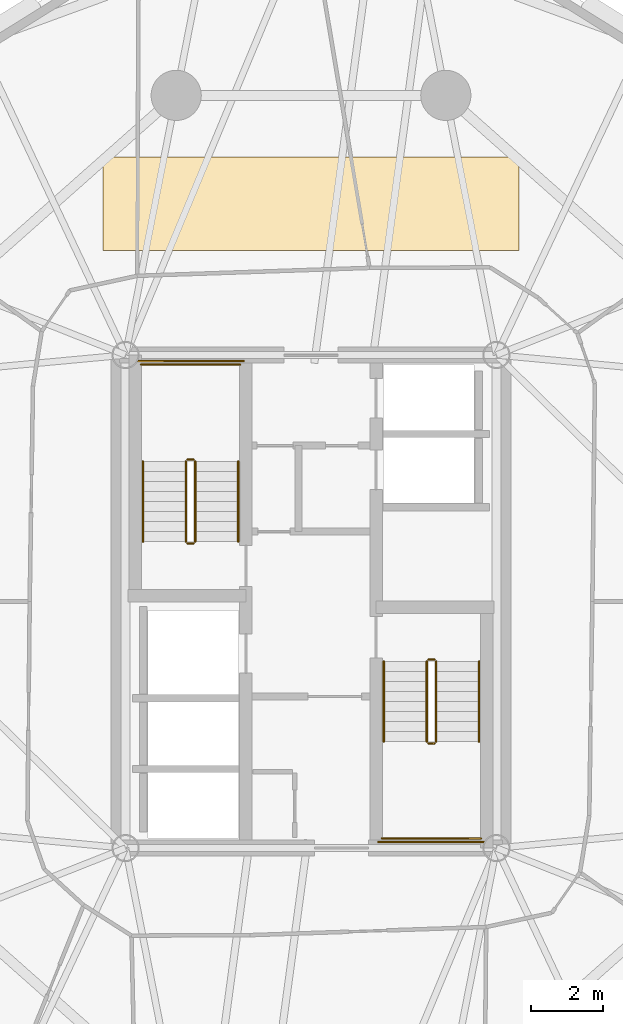
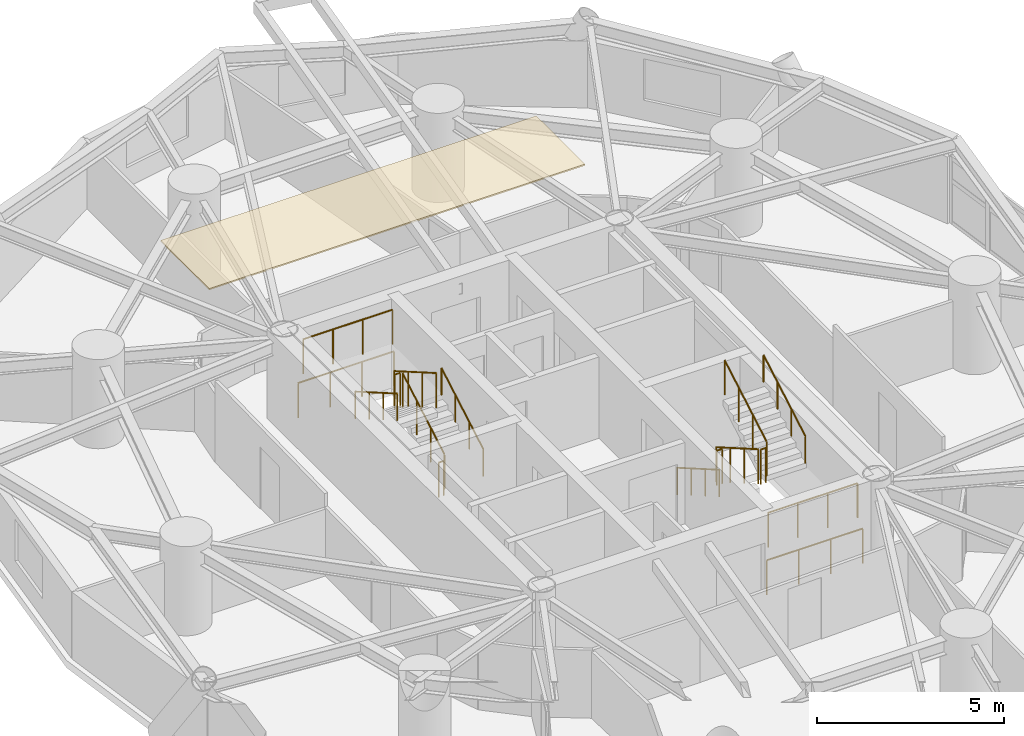
# One storey, part 15 of 16: 16 railings, 1 covering.
"""IFC4 building model written with IfcOpenShell, lengths in metres."""

from ifc_helpers import new_model, si_unit, direction, frame, origin, origin_2d, place, context, subcontext, project, spatial, polyline, circle, outline, extrude, material, layer, layer_set, type_object, element, save


model = new_model("IFC4")

# Units and contexts
model_context = context("Model", 3, precision=1e-05, world=origin(), true_north=direction((0.0, 1.0)))
body_context = subcontext(model_context, "Body", "Model", "MODEL_VIEW")
ifc_project = project(units=[si_unit("LENGTHUNIT", "METRE"), si_unit("AREAUNIT", "SQUARE_METRE"), si_unit("VOLUMEUNIT", "CUBIC_METRE"), si_unit("PLANEANGLEUNIT", "RADIAN"), si_unit("MASSUNIT", "GRAM", prefix="KILO")], contexts=[model_context])

# Site, building, storey
site_placement = place(None, origin())
site = spatial("IfcSite", under=ifc_project, at=site_placement, CompositionType="ELEMENT")
building_placement = place(site_placement, origin())
building = spatial("IfcBuilding", under=site, at=building_placement, Name="Cununo Teusaquillo Station Towers", CompositionType="ELEMENT")
storey_placement = place(building_placement, frame((0.0, 0.0, 99.25)))
storey = spatial("IfcBuildingStorey", under=building, at=storey_placement, Name="L31", CompositionType="ELEMENT", Elevation=99.25)

# Covering
ifc_material_1 = material(Name="Mineral-fibre acoustic suspended ceiling tile", Category="finish")
ifc_layer = layer(ifc_material_1, 0.044921875)
ifc_layer_set = layer_set([ifc_layer], Name="Mineral-fibre acoustic suspended ceiling tile")
covering_type = type_object("IfcCoveringType", Name="COV-CEIL-600", PredefinedType="CEILING", material=ifc_layer_set)
covering_placement = place(storey_placement, frame((0.0, 0.0, 2.625)))
element("IfcCovering", 1, at=covering_placement, inside=storey, type_object=covering_type, Name="L31 Tower A Acoustic Ceiling", PredefinedType="CEILING", context=body_context, shape_type="SweptSolid", body=[
    extrude(outline(polyline([(22.300048828125, 36.89990234375), (22.300048828125, 34.300048828125), (10.699951171875, 34.300048828125), (10.699951171875, 36.89990234375), (22.300048828125, 36.89990234375)])), origin(), (0.0, 0.0, 1.0), 0.044921875),
])

# Railings
ifc_material_2 = material(Name="Steel EN 10025-2 S355J2", Category="steel")
railing_type_1 = type_object("IfcRailingType", Name="RL-INT-GUARD", PredefinedType="GUARDRAIL", material=ifc_material_2)
railing_1_placement = place(storey_placement, frame((13.27001953125, 26.169921875, 0.16162109375)))
element("IfcRailing", 2, at=railing_1_placement, inside=storey, type_object=railing_type_1, Name="L31 ST-T1-1 stair guard 1", PredefinedType="GUARDRAIL", context=body_context, shape_type="SweptSolid", body=[
    extrude(circle(Radius=0.02392578125, at=origin_2d()), frame((0.0, 0.0, 1.1259765625), z_axis=(0.0, 0.865992244559, 0.500057429065), x_axis=(-1.0, 0.0, 0.0)), (0.0, 0.0, 1.0), 2.586669921875),
    extrude(circle(Radius=0.02099609375, at=origin_2d()), origin(), (0.0, 0.0, 1.0), 1.101806640625),
    extrude(circle(Radius=0.02099609375, at=origin_2d()), frame((0.0, 0.74658203125, 0.43115234375)), (0.0, 0.0, 1.0), 1.101806640625),
    extrude(circle(Radius=0.02099609375, at=origin_2d()), frame((0.0, 1.493408203125, 0.8623046875)), (0.0, 0.0, 1.0), 1.101806640625),
    extrude(circle(Radius=0.02099609375, at=origin_2d()), frame((0.0, 2.239990234375, 1.29345703125)), (0.0, 0.0, 1.0), 1.101806640625),
])
railing_2_placement = place(storey_placement, frame((13.219970703125, 28.4599609375, 1.455078125)))
element("IfcRailing", 3, at=railing_2_placement, inside=storey, type_object=railing_type_1, Name="L31 ST-T1-1 stair guard 2", PredefinedType="GUARDRAIL", context=body_context, shape_type="SweptSolid", body=[
    extrude(circle(Radius=0.02392578125, at=origin_2d()), frame((0.0, 0.0, 1.1259765625), z_axis=(-1.0, 0.0, 0.0), x_axis=(0.0, -1.0, 0.0)), (0.0, 0.0, 1.0), 0.159912109375),
    extrude(circle(Radius=0.02099609375, at=origin_2d()), origin(), (0.0, 0.0, 1.0), 1.101806640625),
    extrude(circle(Radius=0.02099609375, at=origin_2d()), frame((-0.159912109375, 0.0, 0.0)), (0.0, 0.0, 1.0), 1.101806640625),
])
railing_3_placement = place(storey_placement, frame((14.52001953125, 31.110107421875, 1.455078125)))
element("IfcRailing", 4, at=railing_3_placement, inside=storey, type_object=railing_type_1, Name="L31 ST-T1-1 stair guard 3", PredefinedType="GUARDRAIL", context=body_context, shape_type="SweptSolid", body=[
    extrude(circle(Radius=0.02392578125, at=origin_2d()), frame((0.0, 0.0, 1.1259765625), z_axis=(-1.0, 0.0, 0.0), x_axis=(0.0, -1.0, 0.0)), (0.0, 0.0, 1.0), 2.760009765625),
    extrude(circle(Radius=0.02099609375, at=origin_2d()), origin(), (0.0, 0.0, 1.0), 1.101806640625),
    extrude(circle(Radius=0.02099609375, at=origin_2d()), frame((-0.919921875, 0.0, 0.0)), (0.0, 0.0, 1.0), 1.101806640625),
    extrude(circle(Radius=0.02099609375, at=origin_2d()), frame((-1.840087890625, 0.0, 0.0)), (0.0, 0.0, 1.0), 1.101806640625),
    extrude(circle(Radius=0.02099609375, at=origin_2d()), frame((-2.760009765625, 0.0, 0.0)), (0.0, 0.0, 1.0), 1.101806640625),
])
railing_4_placement = place(storey_placement, frame((13.010009765625, 28.409912109375, 1.61669921875)))
element("IfcRailing", 5, at=railing_4_placement, inside=storey, type_object=railing_type_1, Name="L31 ST-T1-1 stair guard 4", PredefinedType="GUARDRAIL", context=body_context, shape_type="SweptSolid", body=[
    extrude(circle(Radius=0.02392578125, at=origin_2d()), frame((0.0, 0.0, 1.1259765625), z_axis=(0.0, -0.866033117094, 0.499986639918), x_axis=(1.0, 0.0, 0.0)), (0.0, 0.0, 1.0), 2.58642578125),
    extrude(circle(Radius=0.02099609375, at=origin_2d()), origin(), (0.0, 0.0, 1.0), 1.101806640625),
    extrude(circle(Radius=0.02099609375, at=origin_2d()), frame((0.0, -0.74658203125, 0.43115234375)), (0.0, 0.0, 1.0), 1.101806640625),
    extrude(circle(Radius=0.02099609375, at=origin_2d()), frame((0.0, -1.493408203125, 0.862060546875)), (0.0, 0.0, 1.0), 1.101806640625),
    extrude(circle(Radius=0.02099609375, at=origin_2d()), frame((0.0, -2.239990234375, 1.293212890625)), (0.0, 0.0, 1.0), 1.101806640625),
])
railing_5_placement = place(storey_placement, frame((13.219970703125, 26.1201171875, 0.0)))
element("IfcRailing", 6, at=railing_5_placement, inside=storey, type_object=railing_type_1, Name="L31 ST-T1-1 stair guard 5", PredefinedType="GUARDRAIL", context=body_context, shape_type="SweptSolid", body=[
    extrude(circle(Radius=0.02392578125, at=origin_2d()), frame((0.0, 0.0, 1.1259765625), z_axis=(-1.0, 0.0, 0.0), x_axis=(0.0, -1.0, 0.0)), (0.0, 0.0, 1.0), 0.159912109375),
    extrude(circle(Radius=0.02099609375, at=origin_2d()), origin(), (0.0, 0.0, 1.0), 1.101806640625),
    extrude(circle(Radius=0.02099609375, at=origin_2d()), frame((-0.159912109375, 0.0, 0.0)), (0.0, 0.0, 1.0), 1.101806640625),
])
railing_6_placement = place(storey_placement, frame((14.6201171875, 31.2099609375, 0.0)))
element("IfcRailing", 7, at=railing_6_placement, inside=storey, type_object=railing_type_1, Name="L31 ST-T1-1 stair guard 6", PredefinedType="GUARDRAIL", context=body_context, shape_type="SweptSolid", body=[
    extrude(circle(Radius=0.02392578125, at=origin_2d()), frame((0.0, 0.0, 1.1259765625), z_axis=(-1.0, 0.0, 0.0), x_axis=(0.0, -1.0, 0.0)), (0.0, 0.0, 1.0), 2.960205078125),
    extrude(circle(Radius=0.02099609375, at=origin_2d()), origin(), (0.0, 0.0, 1.0), 1.101806640625),
    extrude(circle(Radius=0.02099609375, at=origin_2d()), frame((-0.98681640625, 0.0, 0.0)), (0.0, 0.0, 1.0), 1.101806640625),
    extrude(circle(Radius=0.02099609375, at=origin_2d()), frame((-1.973388671875, 0.0, 0.0)), (0.0, 0.0, 1.0), 1.101806640625),
    extrude(circle(Radius=0.02099609375, at=origin_2d()), frame((-2.960205078125, 0.0, 0.0)), (0.0, 0.0, 1.0), 1.101806640625),
])
railing_7_placement = place(storey_placement, frame((19.72998046875, 22.830078125, 0.16162109375)))
element("IfcRailing", 8, at=railing_7_placement, inside=storey, type_object=railing_type_1, Name="L31 ST-T1-2 stair guard 1", PredefinedType="GUARDRAIL", context=body_context, shape_type="SweptSolid", body=[
    extrude(circle(Radius=0.02392578125, at=origin_2d()), frame((0.0, 0.0, 1.1259765625), z_axis=(0.0, -0.865992244559, 0.500057429065), x_axis=(1.0, 0.0, 0.0)), (0.0, 0.0, 1.0), 2.586669921875),
    extrude(circle(Radius=0.02099609375, at=origin_2d()), origin(), (0.0, 0.0, 1.0), 1.101806640625),
    extrude(circle(Radius=0.02099609375, at=origin_2d()), frame((0.0, -0.74658203125, 0.43115234375)), (0.0, 0.0, 1.0), 1.101806640625),
    extrude(circle(Radius=0.02099609375, at=origin_2d()), frame((0.0, -1.493408203125, 0.8623046875)), (0.0, 0.0, 1.0), 1.101806640625),
    extrude(circle(Radius=0.02099609375, at=origin_2d()), frame((0.0, -2.239990234375, 1.29345703125)), (0.0, 0.0, 1.0), 1.101806640625),
])
railing_8_placement = place(storey_placement, frame((19.780029296875, 20.5400390625, 1.455078125)))
element("IfcRailing", 9, at=railing_8_placement, inside=storey, type_object=railing_type_1, Name="L31 ST-T1-2 stair guard 2", PredefinedType="GUARDRAIL", context=body_context, shape_type="SweptSolid", body=[
    extrude(circle(Radius=0.02392578125, at=origin_2d()), frame((0.0, 0.0, 1.1259765625), z_axis=(1.0, 0.0, 0.0), x_axis=(0.0, 1.0, 0.0)), (0.0, 0.0, 1.0), 0.159912109375),
    extrude(circle(Radius=0.02099609375, at=origin_2d()), origin(), (0.0, 0.0, 1.0), 1.101806640625),
    extrude(circle(Radius=0.02099609375, at=origin_2d()), frame((0.159912109375, 0.0, 0.0)), (0.0, 0.0, 1.0), 1.101806640625),
])
railing_9_placement = place(storey_placement, frame((18.47998046875, 17.889892578125, 1.455078125)))
element("IfcRailing", 10, at=railing_9_placement, inside=storey, type_object=railing_type_1, Name="L31 ST-T1-2 stair guard 3", PredefinedType="GUARDRAIL", context=body_context, shape_type="SweptSolid", body=[
    extrude(circle(Radius=0.02392578125, at=origin_2d()), frame((0.0, 0.0, 1.1259765625), z_axis=(1.0, 0.0, 0.0), x_axis=(0.0, 1.0, 0.0)), (0.0, 0.0, 1.0), 2.760009765625),
    extrude(circle(Radius=0.02099609375, at=origin_2d()), origin(), (0.0, 0.0, 1.0), 1.101806640625),
    extrude(circle(Radius=0.02099609375, at=origin_2d()), frame((0.919921875, 0.0, 0.0)), (0.0, 0.0, 1.0), 1.101806640625),
    extrude(circle(Radius=0.02099609375, at=origin_2d()), frame((1.840087890625, 0.0, 0.0)), (0.0, 0.0, 1.0), 1.101806640625),
    extrude(circle(Radius=0.02099609375, at=origin_2d()), frame((2.760009765625, 0.0, 0.0)), (0.0, 0.0, 1.0), 1.101806640625),
])
railing_10_placement = place(storey_placement, frame((19.989990234375, 20.590087890625, 1.61669921875)))
element("IfcRailing", 11, at=railing_10_placement, inside=storey, type_object=railing_type_1, Name="L31 ST-T1-2 stair guard 4", PredefinedType="GUARDRAIL", context=body_context, shape_type="SweptSolid", body=[
    extrude(circle(Radius=0.02392578125, at=origin_2d()), frame((0.0, 0.0, 1.1259765625), z_axis=(0.0, 0.866033117094, 0.499986639918), x_axis=(-1.0, 0.0, 0.0)), (0.0, 0.0, 1.0), 2.58642578125),
    extrude(circle(Radius=0.02099609375, at=origin_2d()), origin(), (0.0, 0.0, 1.0), 1.101806640625),
    extrude(circle(Radius=0.02099609375, at=origin_2d()), frame((0.0, 0.74658203125, 0.43115234375)), (0.0, 0.0, 1.0), 1.101806640625),
    extrude(circle(Radius=0.02099609375, at=origin_2d()), frame((0.0, 1.493408203125, 0.862060546875)), (0.0, 0.0, 1.0), 1.101806640625),
    extrude(circle(Radius=0.02099609375, at=origin_2d()), frame((0.0, 2.239990234375, 1.293212890625)), (0.0, 0.0, 1.0), 1.101806640625),
])
railing_11_placement = place(storey_placement, frame((19.780029296875, 22.8798828125, 0.0)))
element("IfcRailing", 12, at=railing_11_placement, inside=storey, type_object=railing_type_1, Name="L31 ST-T1-2 stair guard 5", PredefinedType="GUARDRAIL", context=body_context, shape_type="SweptSolid", body=[
    extrude(circle(Radius=0.02392578125, at=origin_2d()), frame((0.0, 0.0, 1.1259765625), z_axis=(1.0, 0.0, 0.0), x_axis=(0.0, 1.0, 0.0)), (0.0, 0.0, 1.0), 0.159912109375),
    extrude(circle(Radius=0.02099609375, at=origin_2d()), origin(), (0.0, 0.0, 1.0), 1.101806640625),
    extrude(circle(Radius=0.02099609375, at=origin_2d()), frame((0.159912109375, 0.0, 0.0)), (0.0, 0.0, 1.0), 1.101806640625),
])
railing_12_placement = place(storey_placement, frame((18.3798828125, 17.7900390625, 0.0)))
element("IfcRailing", 13, at=railing_12_placement, inside=storey, type_object=railing_type_1, Name="L31 ST-T1-2 stair guard 6", PredefinedType="GUARDRAIL", context=body_context, shape_type="SweptSolid", body=[
    extrude(circle(Radius=0.02392578125, at=origin_2d()), frame((0.0, 0.0, 1.1259765625), z_axis=(1.0, 0.0, 0.0), x_axis=(0.0, 1.0, 0.0)), (0.0, 0.0, 1.0), 2.960205078125),
    extrude(circle(Radius=0.02099609375, at=origin_2d()), origin(), (0.0, 0.0, 1.0), 1.101806640625),
    extrude(circle(Radius=0.02099609375, at=origin_2d()), frame((0.98681640625, 0.0, 0.0)), (0.0, 0.0, 1.0), 1.101806640625),
    extrude(circle(Radius=0.02099609375, at=origin_2d()), frame((1.973388671875, 0.0, 0.0)), (0.0, 0.0, 1.0), 1.101806640625),
    extrude(circle(Radius=0.02099609375, at=origin_2d()), frame((2.960205078125, 0.0, 0.0)), (0.0, 0.0, 1.0), 1.101806640625),
])
ifc_material_3 = material(Name="Steel EN 10025-2 S355J2", Category="steel")
railing_type_2 = type_object("IfcRailingType", Name="RL-INT-HRAIL", PredefinedType="HANDRAIL", material=ifc_material_3)
railing_13_placement = place(storey_placement, frame((14.469970703125, 26.169921875, 0.16162109375)))
element("IfcRailing", 14, at=railing_13_placement, inside=storey, type_object=railing_type_2, Name="L31 ST-T1-1 stair handrail 1", PredefinedType="HANDRAIL", context=body_context, shape_type="SweptSolid", body=[
    extrude(circle(Radius=0.02392578125, at=origin_2d()), frame((0.0, 0.0, 0.8759765625), z_axis=(0.0, 0.865992244559, 0.500057429065), x_axis=(-1.0, 0.0, 0.0)), (0.0, 0.0, 1.0), 2.586669921875),
    extrude(circle(Radius=0.02099609375, at=origin_2d()), origin(), (0.0, 0.0, 1.0), 0.851806640625),
    extrude(circle(Radius=0.02099609375, at=origin_2d()), frame((0.0, 0.74658203125, 0.43115234375)), (0.0, 0.0, 1.0), 0.851806640625),
    extrude(circle(Radius=0.02099609375, at=origin_2d()), frame((0.0, 1.493408203125, 0.8623046875)), (0.0, 0.0, 1.0), 0.851806640625),
    extrude(circle(Radius=0.02099609375, at=origin_2d()), frame((0.0, 2.239990234375, 1.29345703125)), (0.0, 0.0, 1.0), 0.851806640625),
])
railing_14_placement = place(storey_placement, frame((11.81005859375, 28.409912109375, 1.61669921875)))
element("IfcRailing", 15, at=railing_14_placement, inside=storey, type_object=railing_type_2, Name="L31 ST-T1-1 stair handrail 2", PredefinedType="HANDRAIL", context=body_context, shape_type="SweptSolid", body=[
    extrude(circle(Radius=0.02392578125, at=origin_2d()), frame((0.0, 0.0, 0.8759765625), z_axis=(0.0, -0.866033117094, 0.499986639918), x_axis=(1.0, 0.0, 0.0)), (0.0, 0.0, 1.0), 2.58642578125),
    extrude(circle(Radius=0.02099609375, at=origin_2d()), origin(), (0.0, 0.0, 1.0), 0.851806640625),
    extrude(circle(Radius=0.02099609375, at=origin_2d()), frame((0.0, -0.74658203125, 0.43115234375)), (0.0, 0.0, 1.0), 0.851806640625),
    extrude(circle(Radius=0.02099609375, at=origin_2d()), frame((0.0, -1.493408203125, 0.862060546875)), (0.0, 0.0, 1.0), 0.851806640625),
    extrude(circle(Radius=0.02099609375, at=origin_2d()), frame((0.0, -2.239990234375, 1.293212890625)), (0.0, 0.0, 1.0), 0.851806640625),
])
railing_15_placement = place(storey_placement, frame((18.530029296875, 22.830078125, 0.16162109375)))
element("IfcRailing", 16, at=railing_15_placement, inside=storey, type_object=railing_type_2, Name="L31 ST-T1-2 stair handrail 1", PredefinedType="HANDRAIL", context=body_context, shape_type="SweptSolid", body=[
    extrude(circle(Radius=0.02392578125, at=origin_2d()), frame((0.0, 0.0, 0.8759765625), z_axis=(0.0, -0.865992244559, 0.500057429065), x_axis=(1.0, 0.0, 0.0)), (0.0, 0.0, 1.0), 2.586669921875),
    extrude(circle(Radius=0.02099609375, at=origin_2d()), origin(), (0.0, 0.0, 1.0), 0.851806640625),
    extrude(circle(Radius=0.02099609375, at=origin_2d()), frame((0.0, -0.74658203125, 0.43115234375)), (0.0, 0.0, 1.0), 0.851806640625),
    extrude(circle(Radius=0.02099609375, at=origin_2d()), frame((0.0, -1.493408203125, 0.8623046875)), (0.0, 0.0, 1.0), 0.851806640625),
    extrude(circle(Radius=0.02099609375, at=origin_2d()), frame((0.0, -2.239990234375, 1.29345703125)), (0.0, 0.0, 1.0), 0.851806640625),
])
railing_16_placement = place(storey_placement, frame((21.18994140625, 20.590087890625, 1.61669921875)))
element("IfcRailing", 17, at=railing_16_placement, inside=storey, type_object=railing_type_2, Name="L31 ST-T1-2 stair handrail 2", PredefinedType="HANDRAIL", context=body_context, shape_type="SweptSolid", body=[
    extrude(circle(Radius=0.02392578125, at=origin_2d()), frame((0.0, 0.0, 0.8759765625), z_axis=(0.0, 0.866033117094, 0.499986639918), x_axis=(-1.0, 0.0, 0.0)), (0.0, 0.0, 1.0), 2.58642578125),
    extrude(circle(Radius=0.02099609375, at=origin_2d()), origin(), (0.0, 0.0, 1.0), 0.851806640625),
    extrude(circle(Radius=0.02099609375, at=origin_2d()), frame((0.0, 0.74658203125, 0.43115234375)), (0.0, 0.0, 1.0), 0.851806640625),
    extrude(circle(Radius=0.02099609375, at=origin_2d()), frame((0.0, 1.493408203125, 0.862060546875)), (0.0, 0.0, 1.0), 0.851806640625),
    extrude(circle(Radius=0.02099609375, at=origin_2d()), frame((0.0, 2.239990234375, 1.293212890625)), (0.0, 0.0, 1.0), 0.851806640625),
])

save(model, "model.ifc")
